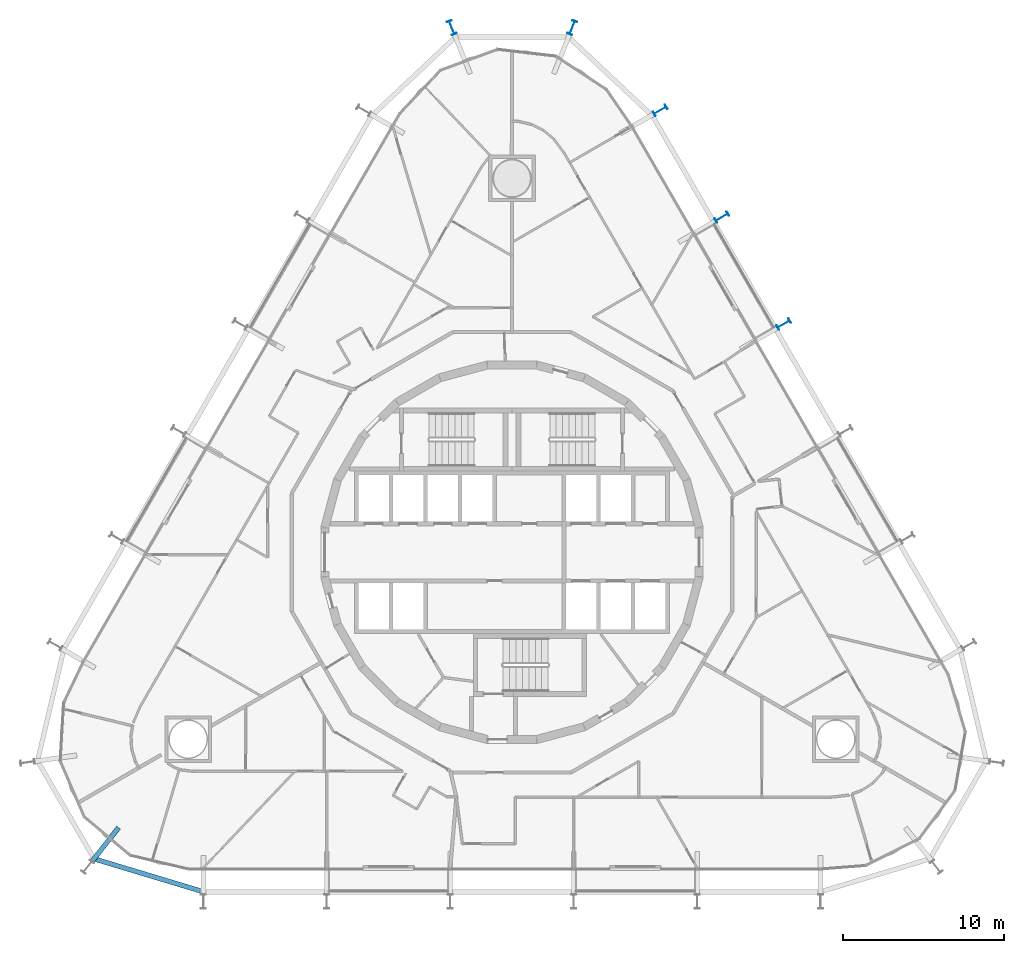
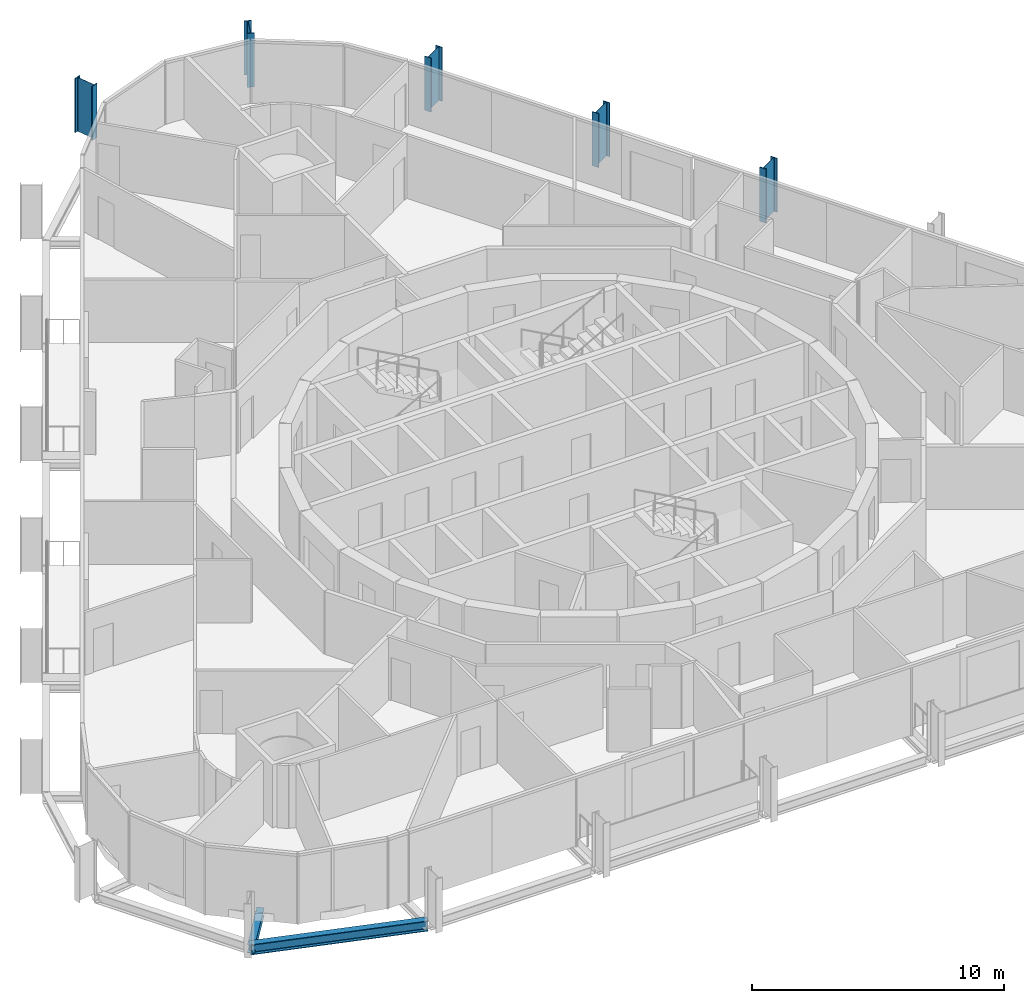
# One storey, part 2 of 20: 5 columns, 2 beams.
"""IFC4 building model written with IfcOpenShell, lengths in metres."""

import ifcopenshell
import ifcopenshell.guid

model = None  # the IFC model being written
_history = None  # IfcOwnerHistory: only IFC2X3 demands one
_inside = {}  # id of a spatial element -> (the spatial element, [elements in it])
_under = {}  # id of a project, library or spatial element -> (it, [spatial elements below it])
_declared = {}  # id of a project -> (the project, [libraries it declares])
_typed = {}  # id of a type object -> (the type object, [elements of that type])
_made_of = {}  # id of a material, layer set ... -> (it, [elements and type objects made of it])


def new_model(schema):
    """Start an empty IFC model of exactly this schema.

    Asked for "IFC4X3", IfcOpenShell would pick the latest addendum, in which some entities
    have other attributes; the version numbers below select the first issue.
    IFC2X3 requires an IfcOwnerHistory on every rooted entity: one is made here for all.
    """
    global model, _history
    if schema == "IFC4X3":
        model = ifcopenshell.file(schema_version=(4, 3, 0, 0))
    else:
        model = ifcopenshell.file(schema=schema)
    _inside.clear()
    _under.clear()
    _declared.clear()
    _typed.clear()
    _made_of.clear()
    _history = None
    if model.schema == "IFC2X3":
        org = make("IfcOrganization", Name="unknown")
        user = make(
            "IfcPersonAndOrganization",
            ThePerson=make("IfcPerson", FamilyName="unknown"),
            TheOrganization=org,
        )
        app = make(
            "IfcApplication",
            ApplicationDeveloper=org,
            Version="unknown",
            ApplicationFullName="unknown",
            ApplicationIdentifier="unknown",
        )
        _history = make(
            "IfcOwnerHistory",
            OwningUser=user,
            OwningApplication=app,
            ChangeAction="ADDED",
            CreationDate=0,
        )
    return model


def make(cls, **values):
    """One entity of the class cls with the attributes given. An attribute that is None is left unset."""
    return model.create_entity(
        cls, **{name: value for name, value in values.items() if value is not None}
    )


def rooted(cls, **values):
    """An entity with a GlobalId (a new one), such as an element, a storey or a relation."""
    return make(cls, GlobalId=ifcopenshell.guid.new(), OwnerHistory=_history, **values)


def si_unit(unit_type, name, prefix=None):
    """IfcSIUnit, for example si_unit("LENGTHUNIT", "METRE", prefix="MILLI")."""
    return make("IfcSIUnit", UnitType=unit_type, Prefix=prefix, Name=name)


def assignment(units):
    """IfcUnitAssignment: the units of a project."""
    return None if units is None else make("IfcUnitAssignment", Units=units)


def point(xyz):
    """IfcCartesianPoint."""
    return None if xyz is None else make("IfcCartesianPoint", Coordinates=xyz)


def direction(xyz):
    """IfcDirection."""
    return None if xyz is None else make("IfcDirection", DirectionRatios=xyz)


def frame(location, z_axis=None, x_axis=None):
    """IfcAxis2Placement3D, a coordinate frame: its origin and axes. An axis left out is left unset."""
    return make(
        "IfcAxis2Placement3D",
        Location=point(location),
        Axis=direction(z_axis),
        RefDirection=direction(x_axis),
    )


def frame_2d(location, x_axis=None):
    """IfcAxis2Placement2D, a coordinate frame in the plane: its origin and x axis."""
    return make(
        "IfcAxis2Placement2D", Location=point(location), RefDirection=direction(x_axis)
    )


def origin():
    """The frame at (0, 0, 0) with its axes left unset."""
    return frame((0.0, 0.0, 0.0))


def origin_2d():
    """The frame at (0, 0) in the plane with its x axis left unset."""
    return frame_2d((0.0, 0.0))


def place(relative_to, where):
    """IfcLocalPlacement: puts the frame where relative to a parent placement (None: the world)."""
    return make(
        "IfcLocalPlacement", PlacementRelTo=relative_to, RelativePlacement=where
    )


def context(
    kind, dimensions, precision=None, world=None, true_north=None, identifier=None
):
    """IfcGeometricRepresentationContext, for example the 3D "Model" context."""
    return make(
        "IfcGeometricRepresentationContext",
        ContextIdentifier=identifier,
        ContextType=kind,
        CoordinateSpaceDimension=dimensions,
        Precision=precision,
        WorldCoordinateSystem=world,
        TrueNorth=true_north,
    )


def subcontext(parent, identifier, kind, view, scale=None):
    """IfcGeometricRepresentationSubContext, for example "Body" below "Model"."""
    return make(
        "IfcGeometricRepresentationSubContext",
        ContextIdentifier=identifier,
        ContextType=kind,
        ParentContext=parent,
        TargetScale=scale,
        TargetView=view,
    )


def project(units=None, contexts=None):
    """IfcProject with its units and contexts."""
    return rooted(
        "IfcProject",
        Name="project",
        RepresentationContexts=contexts,
        UnitsInContext=assignment(units),
    )


def spatial(cls, under=None, at=None, **own):
    """A site, building, storey or space (cls), placed at a placement, below another one or the project."""
    s = rooted(cls, ObjectPlacement=at, **own)
    if under is not None:
        _under.setdefault(under.id(), (under, []))[1].append(s)
    return s


def profile(cls, at=None, kind="AREA", **sizes):
    """A parametric profile (cls). Its sizes go by their IFC names, for example OverallWidth=200.0."""
    return make(cls, ProfileType=kind, Position=at, **sizes)


def i_section(**sizes):
    """IfcIShapeProfileDef."""
    return profile("IfcIShapeProfileDef", **sizes)


def extrude(swept, where, along, depth):
    """IfcExtrudedAreaSolid: the profile swept, set in the frame where, extruded along a direction by depth."""
    return make(
        "IfcExtrudedAreaSolid",
        SweptArea=swept,
        Position=where,
        ExtrudedDirection=direction(along),
        Depth=depth,
    )


def shape(context_of_items, identifier, shape_type, items):
    """IfcShapeRepresentation: the items that make up one representation, for example the "Body"."""
    return make(
        "IfcShapeRepresentation",
        ContextOfItems=context_of_items,
        RepresentationIdentifier=identifier,
        RepresentationType=shape_type,
        Items=items,
    )


def material(Name=None, Category=None):
    """IfcMaterial."""
    return make("IfcMaterial", Name=Name, Category=Category)


def material_profile(
    of_material, cross_section, Name=None, Category=None, Priority=None
):
    """IfcMaterialProfile: a cross section and its material."""
    return make(
        "IfcMaterialProfile",
        Name=Name,
        Material=of_material,
        Profile=cross_section,
        Priority=Priority,
        Category=Category,
    )


def profile_set(profiles, Name=None, composite=None):
    """IfcMaterialProfileSet."""
    return make(
        "IfcMaterialProfileSet",
        Name=Name,
        MaterialProfiles=profiles,
        CompositeProfile=composite,
    )


def made_of(thing, what):
    """Note that an element or type object is made of a material, layer set ...; save() writes the relation."""
    if what is not None:
        _made_of.setdefault(what.id(), (what, []))[1].append(thing)
    return thing


def type_object(cls, material=None, **own):
    """A type object (cls), such as IfcWallType, which elements share."""
    return made_of(rooted(cls, **own), material)


def element(
    cls,
    number,
    at=None,
    inside=None,
    cuts=None,
    type_object=None,
    material=None,
    context=None,
    identifier="Body",
    shape_type=None,
    held_by="IfcProductDefinitionShape",
    body=None,
    shapes=None,
    **own,
):
    """One element of the class cls, such as IfcWall. Its Tag is "e" and its number.

    at: its placement. inside: the storey or other place that contains it. cuts: it is an
    opening in that element (IfcRelVoidsElement). A single representation is given by context,
    identifier, shape_type and body (its items); several are given by shapes. held_by: the class
    of the entity that holds the representations. save() writes the other relations.
    """
    e = rooted(cls, Tag="e%d" % number, ObjectPlacement=at, **own)
    if body is not None:
        shapes = [shape(context, identifier, shape_type, body)]
    if shapes is not None:
        e.Representation = make(held_by, Representations=shapes)
    if inside is not None:
        _inside.setdefault(inside.id(), (inside, []))[1].append(e)
    if cuts is not None:
        rooted(
            "IfcRelVoidsElement", RelatingBuildingElement=cuts, RelatedOpeningElement=e
        )
    if type_object is not None:
        _typed.setdefault(type_object.id(), (type_object, []))[1].append(e)
    return made_of(e, material)


def aggregate(whole, parts):
    """IfcRelAggregates: a whole, such as a stair, and the parts it consists of."""
    return rooted("IfcRelAggregates", RelatingObject=whole, RelatedObjects=parts)


def save(model, path):
    """Write the relations noted so far, then the file.

    IfcRelAggregates (storeys below a building ...), IfcRelContainedInSpatialStructure (elements
    in a storey), IfcRelDefinesByType, IfcRelAssociatesMaterial and IfcRelDeclares: one each for
    every whole, place, type object, material and project.
    """
    for whole, parts in _under.values():
        aggregate(whole, parts)
    for where, things in _inside.values():
        rooted(
            "IfcRelContainedInSpatialStructure",
            RelatedElements=things,
            RelatingStructure=where,
        )
    for kind, things in _typed.values():
        rooted("IfcRelDefinesByType", RelatedObjects=things, RelatingType=kind)
    for what, things in _made_of.values():
        rooted("IfcRelAssociatesMaterial", RelatedObjects=things, RelatingMaterial=what)
    for by, libraries in _declared.values():
        rooted("IfcRelDeclares", RelatingContext=by, RelatedDefinitions=libraries)
    model.write(path)


model = new_model("IFC4")

# Units and contexts
model_context = context("Model", 3, precision=1e-05, world=origin(), true_north=direction((0.0, 1.0)))
body_context = subcontext(model_context, "Body", "Model", "MODEL_VIEW")
ifc_project = project(units=[si_unit("LENGTHUNIT", "METRE"), si_unit("AREAUNIT", "SQUARE_METRE"), si_unit("VOLUMEUNIT", "CUBIC_METRE"), si_unit("PLANEANGLEUNIT", "RADIAN"), si_unit("MASSUNIT", "GRAM", prefix="KILO")], contexts=[model_context])

# Site, building, storey
site_placement = place(None, origin())
site = spatial("IfcSite", under=ifc_project, at=site_placement, CompositionType="ELEMENT")
building_placement = place(site_placement, origin())
building = spatial("IfcBuilding", under=site, at=building_placement, Name="Spindle Arch Residences", CompositionType="ELEMENT")
storey_placement = place(building_placement, frame((0.0, 0.0, 66.39990234375)))
storey = spatial("IfcBuildingStorey", under=building, at=storey_placement, Name="L15", CompositionType="ELEMENT", Elevation=66.39990234375)

# Columns
ifc_material_1 = material(Name="Steel S460ML, intumescent coating R 240", Category="steel")
ifc_material_profile_1 = material_profile(ifc_material_1, i_section(OverallWidth=0.300048828125, OverallDepth=0.89990234375, WebThickness=0.0185546875, FlangeThickness=0.034912109375, FilletRadius=0.030029296875, at=origin_2d()), Name="HEB 900")
ifc_profile_set_1 = profile_set([ifc_material_profile_1], Name="Steel S460ML, intumescent coating R 240")
column_type = type_object("IfcColumnType", Name="Exoskeleton post HEB 900", PredefinedType="COLUMN", material=ifc_profile_set_1)
for number, where, z_axis, x_axis, name in (
    (1, (16.898681640625, 14.1904296875, -0.3798828125), (0.0, 0.0, 1.0), (0.50000017485, -0.866025302835, 0.0), "Exoskeleton post 9"),
    (2, (13.05859375, 20.841796875, -0.3798828125), (0.0, 0.0, 1.0), (0.50000017485, -0.866025302835, 0.0), "Exoskeleton post 10"),
    (3, (9.218505859375, 27.492919921875, -0.3798828125), (0.0, 0.0, 1.0), (0.50000017485, -0.866025302835, 0.0), "Exoskeleton post 11"),
    (4, (3.748291015625, 32.638671875, -0.3798828125), (0.0, 0.0, 1.0), (0.928589751246, -0.371107900591, 0.0), "Exoskeleton post 12"),
    (5, (-3.748291015625, 32.638671875, -0.3798828125), (0.0, 0.0, 1.0), (0.928589751246, 0.371107900591, 0.0), "Exoskeleton post 13"),
):
    element("IfcColumn", number, at=place(storey_placement, frame(where, z_axis=z_axis, x_axis=x_axis)), inside=storey, type_object=column_type, Name=name, PredefinedType="COLUMN", context=body_context, shape_type="SweptSolid", body=[
        extrude(i_section(OverallWidth=0.300048828125, OverallDepth=0.89990234375, WebThickness=0.0185546875, FlangeThickness=0.034912109375, FilletRadius=0.030029296875, at=origin_2d()), origin(), (0.0, 0.0, 1.0), 2.615966796875),
    ])

# Beams
ifc_material_2 = material(Name="Steel S460ML, intumescent coating R 120", Category="steel")
ifc_material_profile_2 = material_profile(ifc_material_2, i_section(OverallWidth=0.300048828125, OverallDepth=0.5, WebThickness=0.014404296875, FlangeThickness=0.028076171875, FilletRadius=0.027099609375, at=origin_2d()), Name="HEB 500")
ifc_profile_set_2 = profile_set([ifc_material_profile_2], Name="Steel S460ML, intumescent coating R 120")
beam_type_1 = type_object("IfcBeamType", Name="Exoskeleton edge beam HEB 500", PredefinedType="BEAM", material=ifc_profile_set_2)
beam_1_placement = place(storey_placement, frame((-26.0751953125, -19.048095703125, -0.6298828125), z_axis=(0.95756732363, -0.288209681856, 0.0), x_axis=(0.288209681856, 0.95756732363, 0.0)))
element("IfcBeam", 6, at=beam_1_placement, inside=storey, type_object=beam_type_1, Name="Exoskeleton edge beam 21", PredefinedType="BEAM", context=body_context, shape_type="SweptSolid", body=[
    extrude(i_section(OverallWidth=0.300048828125, OverallDepth=0.5, WebThickness=0.014404296875, FlangeThickness=0.028076171875, FilletRadius=0.027099609375, at=origin_2d()), origin(), (0.0, 0.0, 1.0), 7.250244140625),
])
ifc_material_3 = material(Name="Steel S460ML, intumescent coating R 120", Category="steel")
ifc_material_profile_3 = material_profile(ifc_material_3, i_section(OverallWidth=0.300048828125, OverallDepth=0.389892578125, WebThickness=0.010986328125, FlangeThickness=0.01904296875, FilletRadius=0.027099609375, at=origin_2d()), Name="HEA 400")
ifc_profile_set_3 = profile_set([ifc_material_profile_3], Name="Steel S460ML, intumescent coating R 120")
beam_type_2 = type_object("IfcBeamType", Name="Floor outrigger HEA 400", PredefinedType="BEAM", material=ifc_profile_set_3)
beam_2_placement = place(storey_placement, frame((-26.11328125, -19.211669921875, -0.574951171875), z_axis=(0.618586231558, 0.785716917297, 0.0), x_axis=(-0.785716917297, 0.618586231558, 0.0)))
element("IfcBeam", 7, at=beam_2_placement, inside=storey, type_object=beam_type_2, Name="Floor outrigger 21", PredefinedType="BEAM", context=body_context, shape_type="SweptSolid", body=[
    extrude(i_section(OverallWidth=0.300048828125, OverallDepth=0.389892578125, WebThickness=0.010986328125, FlangeThickness=0.01904296875, FilletRadius=0.027099609375, at=origin_2d()), origin(), (0.0, 0.0, 1.0), 2.64990234375),
])

save(model, "model.ifc")
